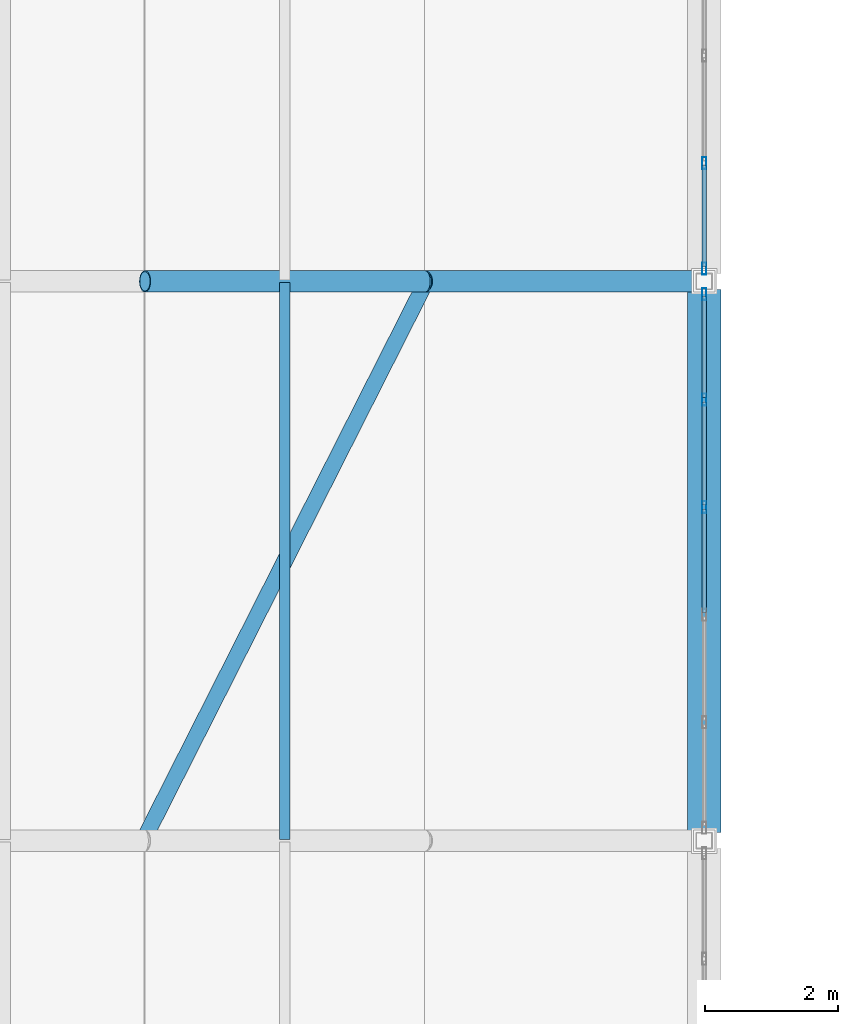
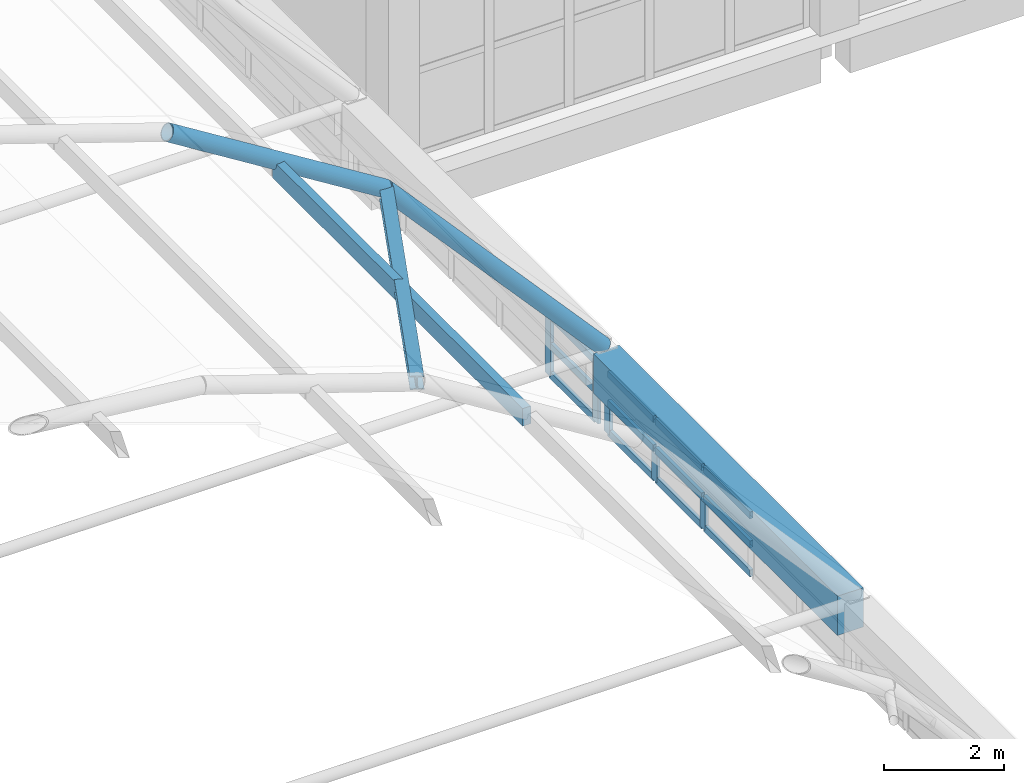
# One storey, part 68 of 114: 19 members, 3 beams, 2 elements without a shape of their own.
"""IFC4 building model written with IfcOpenShell, lengths in metres."""

from ifc_helpers import new_model, si_unit, direction, frame, origin, origin_2d, place, context, subcontext, project, spatial, rectangle, hollow_rectangle, hollow_circle, i_section, extrude, material, layer, layer_set, material_profile, profile_set, type_object, element, aggregate, save


model = new_model("IFC4")

# Units and contexts
model_context = context("Model", 3, precision=1e-05, world=origin(), true_north=direction((0.0, 1.0)))
body_context = subcontext(model_context, "Body", "Model", "MODEL_VIEW")
ifc_project = project(units=[si_unit("LENGTHUNIT", "METRE"), si_unit("AREAUNIT", "SQUARE_METRE"), si_unit("VOLUMEUNIT", "CUBIC_METRE"), si_unit("PLANEANGLEUNIT", "RADIAN"), si_unit("MASSUNIT", "GRAM", prefix="KILO")], contexts=[model_context])

# Site, building, storey
site_placement = place(None, origin())
site = spatial("IfcSite", under=ifc_project, at=site_placement, CompositionType="ELEMENT")
building_placement = place(site_placement, origin())
building = spatial("IfcBuilding", under=site, at=building_placement, Name="Xazarin Passage Department Store", CompositionType="ELEMENT")
storey_placement = place(building_placement, frame((0.0, 0.0, 14.39990234375)))
storey = spatial("IfcBuildingStorey", under=building, at=storey_placement, Name="L03", CompositionType="ELEMENT", Elevation=14.39990234375)

# Curtain wall, members
ifc_material_1 = material(Name="Bronze anodised aluminium", Category="aluminium")
ifc_layer = layer(ifc_material_1, 0.159912109375)
ifc_layer_set = layer_set([ifc_layer], Name="Bronze anodised aluminium")
curtain_wall_type = type_object("IfcCurtainWallType", Name="ARC-CW-ARC1", PredefinedType="NOTDEFINED", material=ifc_layer_set)
curtain_wall_1_placement = place(storey_placement, origin())
curtain_wall_1 = element("IfcCurtainWall", 1, at=curtain_wall_1_placement, inside=storey, type_object=curtain_wall_type, Name="L03 V2N Galleria Clerestory Curtain Wall 3E", PredefinedType="NOTDEFINED")
ifc_material_profile_1 = material_profile(ifc_material_1, hollow_rectangle(XDim=0.06494140625, YDim=0.179931640625, WallThickness=0.00390625, at=origin_2d()), Name="ALU 65x180")
ifc_profile_set_1 = profile_set([ifc_material_profile_1], Name="Bronze anodised aluminium")
member_type_1 = type_object("IfcMemberType", Name="ARC-CWM-65x180", PredefinedType="MULLION", material=ifc_profile_set_1)
member_1_placement = place(storey_placement, frame((101.60009765625, 73.008056640625, 0.0), z_axis=(0.0, 0.0, 1.0), x_axis=(-1.0, 0.0, 0.0)))
member_1 = element("IfcMember", 2, at=member_1_placement, type_object=member_type_1, Name="CW3 mullion 4", PredefinedType="MULLION", context=body_context, shape_type="SweptSolid", body=[
    extrude(hollow_rectangle(XDim=0.06494140625, YDim=0.179931640625, WallThickness=0.00390625, at=origin_2d()), origin(), (0.0, 0.0, 1.0), 1.251708984375),
])
member_2_placement = place(storey_placement, frame((101.60009765625, 74.6240234375, 0.0), z_axis=(0.0, 0.0, 1.0), x_axis=(-1.0, 0.0, 0.0)))
member_2 = element("IfcMember", 3, at=member_2_placement, type_object=member_type_1, Name="CW3 mullion 5", PredefinedType="MULLION", context=body_context, shape_type="SweptSolid", body=[
    extrude(hollow_rectangle(XDim=0.06494140625, YDim=0.179931640625, WallThickness=0.00390625, at=origin_2d()), origin(), (0.0, 0.0, 1.0), 1.251708984375),
])
member_3_placement = place(storey_placement, frame((101.60009765625, 76.20751953125, 0.0), z_axis=(0.0, 0.0, 1.0), x_axis=(-1.0, 0.0, 0.0)))
member_3 = element("IfcMember", 4, at=member_3_placement, type_object=member_type_1, Name="CW3 mullion 6", PredefinedType="MULLION", context=body_context, shape_type="SweptSolid", body=[
    extrude(hollow_rectangle(XDim=0.06494140625, YDim=0.179931640625, WallThickness=0.00390625, at=origin_2d()), origin(), (0.0, 0.0, 1.0), 1.251708984375),
])

curtain_wall_2_placement = place(storey_placement, origin())
curtain_wall_2 = element("IfcCurtainWall", 5, at=curtain_wall_2_placement, inside=storey, type_object=curtain_wall_type, Name="L03 V2N Galleria Clerestory Curtain Wall 4E", PredefinedType="NOTDEFINED")
member_4_placement = place(storey_placement, frame((101.60009765625, 76.592529296875, 0.0), z_axis=(0.0, 0.0, 1.0), x_axis=(-1.0, 0.0, 0.0)))
member_4 = element("IfcMember", 6, at=member_4_placement, type_object=member_type_1, Name="CW3 mullion 1", PredefinedType="MULLION", context=body_context, shape_type="SweptSolid", body=[
    extrude(hollow_rectangle(XDim=0.06494140625, YDim=0.179931640625, WallThickness=0.00390625, at=origin_2d()), origin(), (0.0, 0.0, 1.0), 1.251708984375),
])
member_5_placement = place(storey_placement, frame((101.60009765625, 78.176025390625, 0.0), z_axis=(0.0, 0.0, 1.0), x_axis=(-1.0, 0.0, 0.0)))
member_5 = element("IfcMember", 7, at=member_5_placement, type_object=member_type_1, Name="CW3 mullion 2", PredefinedType="MULLION", context=body_context, shape_type="SweptSolid", body=[
    extrude(hollow_rectangle(XDim=0.06494140625, YDim=0.179931640625, WallThickness=0.00390625, at=origin_2d()), origin(), (0.0, 0.0, 1.0), 1.251708984375),
])

# Member
ifc_material_profile_2 = material_profile(ifc_material_1, hollow_rectangle(XDim=0.06494140625, YDim=0.139892578125, WallThickness=0.00390625, at=origin_2d()), Name="ALU 65x140")
ifc_profile_set_2 = profile_set([ifc_material_profile_2], Name="Bronze anodised aluminium")
member_type_2 = type_object("IfcMemberType", Name="ARC-CWT-65x140", PredefinedType="USERDEFINED", material=ifc_profile_set_2)
member_6_placement = place(storey_placement, frame((101.60009765625, 71.424560546875, 0.03271484375), z_axis=(0.0, 1.0, 0.0), x_axis=(-1.0, 0.0, 0.0)))
member_6 = element("IfcMember", 8, at=member_6_placement, type_object=member_type_2, Name="CW3 transom 3.1", ObjectType="TRANSOM", PredefinedType="USERDEFINED", context=body_context, shape_type="SweptSolid", body=[
    extrude(hollow_rectangle(XDim=0.06494140625, YDim=0.139892578125, WallThickness=0.00390625, at=origin_2d()), origin(), (0.0, 0.0, 1.0), 1.551025390625),
])

member_7_placement = place(storey_placement, frame((101.60009765625, 71.424560546875, 0.6259765625), z_axis=(0.0, 1.0, 0.0), x_axis=(-1.0, 0.0, 0.0)))
member_7 = element("IfcMember", 9, at=member_7_placement, type_object=member_type_2, Name="CW3 transom 3.2", ObjectType="TRANSOM", PredefinedType="USERDEFINED", context=body_context, shape_type="SweptSolid", body=[
    extrude(hollow_rectangle(XDim=0.06494140625, YDim=0.139892578125, WallThickness=0.00390625, at=origin_2d()), origin(), (0.0, 0.0, 1.0), 1.551025390625),
])

member_8_placement = place(storey_placement, frame((101.60009765625, 71.424560546875, 1.21923828125), z_axis=(0.0, 1.0, 0.0), x_axis=(-1.0, 0.0, 0.0)))
member_8 = element("IfcMember", 10, at=member_8_placement, type_object=member_type_2, Name="CW3 transom 3.3", ObjectType="TRANSOM", PredefinedType="USERDEFINED", context=body_context, shape_type="SweptSolid", body=[
    extrude(hollow_rectangle(XDim=0.06494140625, YDim=0.139892578125, WallThickness=0.00390625, at=origin_2d()), origin(), (0.0, 0.0, 1.0), 1.551025390625),
])

member_9_placement = place(storey_placement, frame((101.60009765625, 73.04052734375, 0.03271484375), z_axis=(0.0, 1.0, 0.0), x_axis=(-1.0, 0.0, 0.0)))
member_9 = element("IfcMember", 11, at=member_9_placement, type_object=member_type_2, Name="CW3 transom 4.1", ObjectType="TRANSOM", PredefinedType="USERDEFINED", context=body_context, shape_type="SweptSolid", body=[
    extrude(hollow_rectangle(XDim=0.06494140625, YDim=0.139892578125, WallThickness=0.00390625, at=origin_2d()), origin(), (0.0, 0.0, 1.0), 1.551025390625),
])

member_10_placement = place(storey_placement, frame((101.60009765625, 73.04052734375, 0.6259765625), z_axis=(0.0, 1.0, 0.0), x_axis=(-1.0, 0.0, 0.0)))
member_10 = element("IfcMember", 12, at=member_10_placement, type_object=member_type_2, Name="CW3 transom 4.2", ObjectType="TRANSOM", PredefinedType="USERDEFINED", context=body_context, shape_type="SweptSolid", body=[
    extrude(hollow_rectangle(XDim=0.06494140625, YDim=0.139892578125, WallThickness=0.00390625, at=origin_2d()), origin(), (0.0, 0.0, 1.0), 1.551025390625),
])

member_11_placement = place(storey_placement, frame((101.60009765625, 73.04052734375, 1.21923828125), z_axis=(0.0, 1.0, 0.0), x_axis=(-1.0, 0.0, 0.0)))
member_11 = element("IfcMember", 13, at=member_11_placement, type_object=member_type_2, Name="CW3 transom 4.3", ObjectType="TRANSOM", PredefinedType="USERDEFINED", context=body_context, shape_type="SweptSolid", body=[
    extrude(hollow_rectangle(XDim=0.06494140625, YDim=0.139892578125, WallThickness=0.00390625, at=origin_2d()), origin(), (0.0, 0.0, 1.0), 1.551025390625),
])

member_12_placement = place(storey_placement, frame((101.60009765625, 74.656494140625, 0.03271484375), z_axis=(0.0, 1.0, 0.0), x_axis=(-1.0, 0.0, 0.0)))
member_12 = element("IfcMember", 14, at=member_12_placement, type_object=member_type_2, Name="CW3 transom 5.1", ObjectType="TRANSOM", PredefinedType="USERDEFINED", context=body_context, shape_type="SweptSolid", body=[
    extrude(hollow_rectangle(XDim=0.06494140625, YDim=0.139892578125, WallThickness=0.00390625, at=origin_2d()), origin(), (0.0, 0.0, 1.0), 1.5185546875),
])

member_13_placement = place(storey_placement, frame((101.60009765625, 74.656494140625, 0.6259765625), z_axis=(0.0, 1.0, 0.0), x_axis=(-1.0, 0.0, 0.0)))
member_13 = element("IfcMember", 15, at=member_13_placement, type_object=member_type_2, Name="CW3 transom 5.2", ObjectType="TRANSOM", PredefinedType="USERDEFINED", context=body_context, shape_type="SweptSolid", body=[
    extrude(hollow_rectangle(XDim=0.06494140625, YDim=0.139892578125, WallThickness=0.00390625, at=origin_2d()), origin(), (0.0, 0.0, 1.0), 1.5185546875),
])

member_14_placement = place(storey_placement, frame((101.60009765625, 74.656494140625, 1.21923828125), z_axis=(0.0, 1.0, 0.0), x_axis=(-1.0, 0.0, 0.0)))
member_14 = element("IfcMember", 16, at=member_14_placement, type_object=member_type_2, Name="CW3 transom 5.3", ObjectType="TRANSOM", PredefinedType="USERDEFINED", context=body_context, shape_type="SweptSolid", body=[
    extrude(hollow_rectangle(XDim=0.06494140625, YDim=0.139892578125, WallThickness=0.00390625, at=origin_2d()), origin(), (0.0, 0.0, 1.0), 1.5185546875),
])

aggregate(curtain_wall_1, [member_1, member_2, member_3, member_6, member_7, member_8, member_9, member_10, member_11, member_12, member_13, member_14])

member_15_placement = place(storey_placement, frame((101.60009765625, 76.625, 0.03271484375), z_axis=(0.0, 1.0, 0.0), x_axis=(-1.0, 0.0, 0.0)))
member_15 = element("IfcMember", 17, at=member_15_placement, type_object=member_type_2, Name="CW3 transom 1.1", ObjectType="TRANSOM", PredefinedType="USERDEFINED", context=body_context, shape_type="SweptSolid", body=[
    extrude(hollow_rectangle(XDim=0.06494140625, YDim=0.139892578125, WallThickness=0.00390625, at=origin_2d()), origin(), (0.0, 0.0, 1.0), 1.5185546875),
])

member_16_placement = place(storey_placement, frame((101.60009765625, 76.625, 0.6259765625), z_axis=(0.0, 1.0, 0.0), x_axis=(-1.0, 0.0, 0.0)))
member_16 = element("IfcMember", 18, at=member_16_placement, type_object=member_type_2, Name="CW3 transom 1.2", ObjectType="TRANSOM", PredefinedType="USERDEFINED", context=body_context, shape_type="SweptSolid", body=[
    extrude(hollow_rectangle(XDim=0.06494140625, YDim=0.139892578125, WallThickness=0.00390625, at=origin_2d()), origin(), (0.0, 0.0, 1.0), 1.5185546875),
])

member_17_placement = place(storey_placement, frame((101.60009765625, 76.625, 1.21923828125), z_axis=(0.0, 1.0, 0.0), x_axis=(-1.0, 0.0, 0.0)))
member_17 = element("IfcMember", 19, at=member_17_placement, type_object=member_type_2, Name="CW3 transom 1.3", ObjectType="TRANSOM", PredefinedType="USERDEFINED", context=body_context, shape_type="SweptSolid", body=[
    extrude(hollow_rectangle(XDim=0.06494140625, YDim=0.139892578125, WallThickness=0.00390625, at=origin_2d()), origin(), (0.0, 0.0, 1.0), 1.5185546875),
])

aggregate(curtain_wall_2, [member_4, member_5, member_15, member_16, member_17])

# Beams
ifc_material_2 = material(Name="Steel S355", Category="steel")
ifc_material_profile_3 = material_profile(ifc_material_2, hollow_circle(Radius=0.161865234375, WallThickness=0.01611328125, at=origin_2d()), Name="CHS 323.9x16")
ifc_profile_set_3 = profile_set([ifc_material_profile_3], Name="Steel S355")
beam_type_1 = type_object("IfcBeamType", Name="STR-BM-AR324", PredefinedType="BEAM", material=ifc_profile_set_3)
beam_1_placement = place(storey_placement, frame((93.199951171875, 76.39990234375, 8.95068359375), z_axis=(0.848571440894, 0.0, -0.529080815848), x_axis=(0.0, 1.0, 0.0)))
element("IfcBeam", 20, at=beam_1_placement, inside=storey, type_object=beam_type_1, Name="V2N Primary Arch Rib 4.7", PredefinedType="BEAM", context=body_context, shape_type="SweptSolid", body=[
    extrude(hollow_circle(Radius=0.161865234375, WallThickness=0.01611328125, at=origin_2d()), origin(), (0.0, 0.0, 1.0), 4.949462890625),
])
beam_2_placement = place(storey_placement, frame((97.39990234375, 76.39990234375, 6.33203125), z_axis=(0.667913050078, 0.0, -0.744239314694), x_axis=(0.0, 1.0, 0.0)))
element("IfcBeam", 21, at=beam_2_placement, inside=storey, type_object=beam_type_1, Name="V2N Primary Arch Rib 4.8", PredefinedType="BEAM", context=body_context, shape_type="SweptSolid", body=[
    extrude(hollow_circle(Radius=0.161865234375, WallThickness=0.01611328125, at=origin_2d()), origin(), (0.0, 0.0, 1.0), 6.28857421875),
])
ifc_material_3 = material(Name="Concrete C40/50", Category="concrete")
ifc_material_profile_4 = material_profile(ifc_material_3, rectangle(XDim=0.5, YDim=0.800048828125, at=origin_2d()), Name="RC 500x800")
ifc_profile_set_4 = profile_set([ifc_material_profile_4], Name="Concrete C40/50")
beam_type_2 = type_object("IfcBeamType", Name="STR-BM-RG500x800", PredefinedType="BEAM", material=ifc_profile_set_4)
beam_3_placement = place(storey_placement, frame((101.60009765625, 68.1201171875, 1.251708984375), z_axis=(0.0, 1.0, 0.0), x_axis=(-1.0, 0.0, 0.0)))
element("IfcBeam", 22, at=beam_3_placement, inside=storey, type_object=beam_type_2, Name="V2N Springing Ring Girder E-3", PredefinedType="BEAM", context=body_context, shape_type="SweptSolid", body=[
    extrude(rectangle(XDim=0.5, YDim=0.800048828125, at=origin_2d()), origin(), (0.0, 0.0, 1.0), 8.159912109375),
])

# Members
ifc_material_4 = material(Name="Glulam GL28h", Category="wood")
ifc_material_profile_5 = material_profile(ifc_material_4, rectangle(XDim=0.159912109375, YDim=0.360107421875, at=origin_2d()), Name="GL28h 160x360")
ifc_profile_set_5 = profile_set([ifc_material_profile_5], Name="Glulam GL28h")
member_type_3 = type_object("IfcMemberType", Name="STR-MEM-GL360", PredefinedType="PURLIN", material=ifc_profile_set_5)
member_18_placement = place(storey_placement, frame((95.300048828125, 68.02001953125, 7.50341796875), z_axis=(0.0, 1.0, 0.0), x_axis=(-1.0, 0.0, 0.0)))
element("IfcMember", 23, at=member_18_placement, inside=storey, type_object=member_type_3, Name="V2N Glulam Gridshell Purlin 3.7", PredefinedType="PURLIN", context=body_context, shape_type="SweptSolid", body=[
    extrude(rectangle(XDim=0.159912109375, YDim=0.360107421875, at=origin_2d()), origin(), (0.0, 0.0, 1.0), 8.35986328125),
])
ifc_material_profile_6 = material_profile(ifc_material_2, i_section(OverallWidth=0.239990234375, OverallDepth=0.239990234375, WebThickness=0.010009765625, FlangeThickness=0.01708984375, FilletRadius=0.02099609375, at=origin_2d()), Name="HEB 240")
ifc_profile_set_6 = profile_set([ifc_material_profile_6], Name="Steel S355")
member_type_4 = type_object("IfcMemberType", Name="STR-MEM-HB240", PredefinedType="BRACE", material=ifc_profile_set_6)
member_19_placement = place(storey_placement, frame((93.199951171875, 68.050048828125, 8.900634765625), z_axis=(0.434609592328, 0.858886375073, -0.270977299733), x_axis=(-0.892269998561, 0.451502214467, 0.0)))
element("IfcMember", 24, at=member_19_placement, inside=storey, type_object=member_type_4, Name="V2N Gridshell Diagonal Brace 3.6", PredefinedType="BRACE", context=body_context, shape_type="SweptSolid", body=[
    extrude(i_section(OverallWidth=0.239990234375, OverallDepth=0.239990234375, WebThickness=0.010009765625, FlangeThickness=0.01708984375, FilletRadius=0.02099609375, at=origin_2d()), origin(), (0.0, 0.0, 1.0), 9.663818359375),
])

save(model, "model.ifc")
